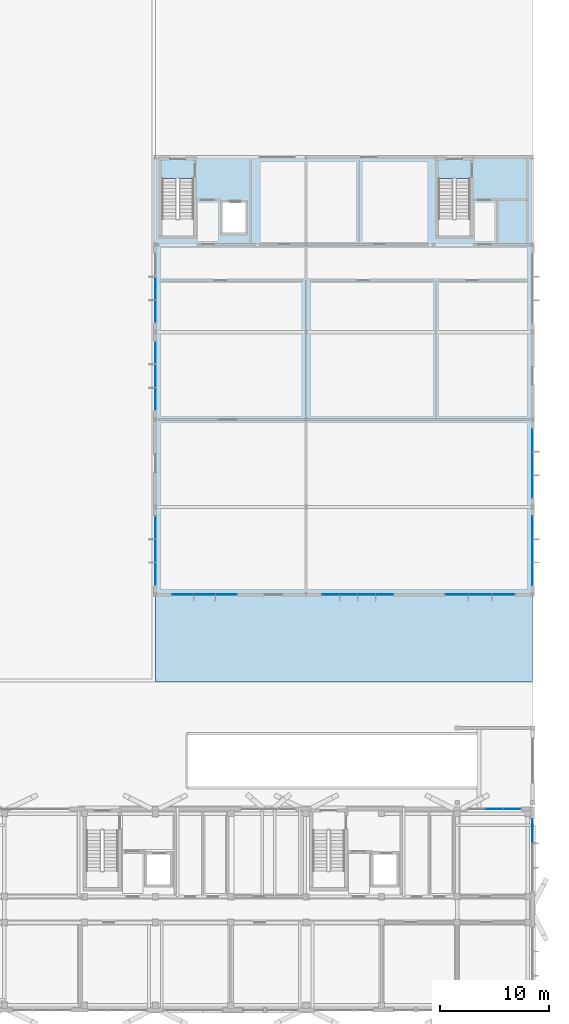
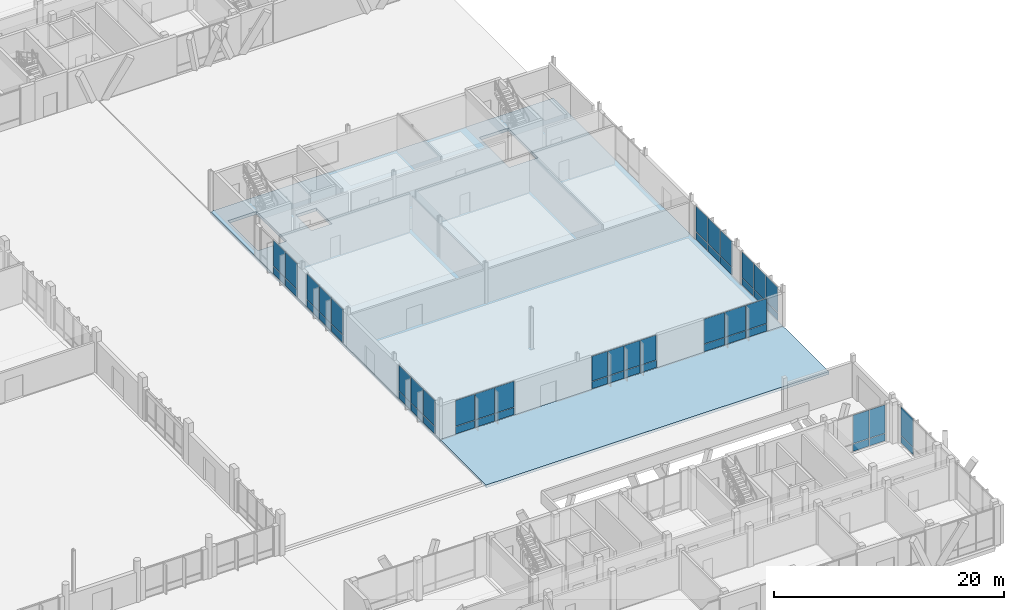
# One storey, part 187 of 233: 54 plates, 2 slabs, 10 elements without a shape of their own.
"""IFC4 building model written with IfcOpenShell, lengths in metres."""

from ifc_helpers import new_model, si_unit, direction, frame, origin, origin_2d, place, context, subcontext, project, spatial, polyline, rectangle, outline, extrude, material, layer, layer_set, type_object, element, aggregate, save


model = new_model("IFC4")

# Units and contexts
model_context = context("Model", 3, precision=1e-05, world=origin(), true_north=direction((0.0, 1.0)))
body_context = subcontext(model_context, "Body", "Model", "MODEL_VIEW")
ifc_project = project(units=[si_unit("LENGTHUNIT", "METRE"), si_unit("AREAUNIT", "SQUARE_METRE"), si_unit("VOLUMEUNIT", "CUBIC_METRE"), si_unit("PLANEANGLEUNIT", "RADIAN"), si_unit("MASSUNIT", "GRAM", prefix="KILO")], contexts=[model_context])

# Site, building, storey
site_placement = place(None, origin())
site = spatial("IfcSite", under=ifc_project, at=site_placement, CompositionType="ELEMENT")
building_placement = place(site_placement, origin())
building = spatial("IfcBuilding", under=site, at=building_placement, Name="Zavelmont Quarter", CompositionType="ELEMENT")
storey_placement = place(building_placement, origin())
storey = spatial("IfcBuildingStorey", under=building, at=storey_placement, Name="L00", CompositionType="ELEMENT", Elevation=0.0)

# Curtain wall, plate
ifc_material_1 = material(Name="Thermally broken aluminium and double low-E safety glazing", Category="aluminium")
curtain_wall_type_1 = type_object("IfcCurtainWallType", Name="CW-495X395", PredefinedType="NOTDEFINED", material=ifc_material_1)
curtain_wall_1_placement = place(storey_placement, origin())
curtain_wall_1 = element("IfcCurtainWall", 1, at=curtain_wall_1_placement, inside=storey, type_object=curtain_wall_type_1, Name="L00 unitised curtain wall CW-495X395", PredefinedType="NOTDEFINED")
ifc_material_2 = material(Name="Insulated anodised-aluminium spandrel panel", Category="aluminium")
ifc_layer_1 = layer(ifc_material_2, 0.0400390625)
ifc_layer_set_1 = layer_set([ifc_layer_1], Name="Insulated anodised-aluminium spandrel panel")
plate_type_1 = type_object("IfcPlateType", Name="CWP-SPD-1560X760", PredefinedType="CURTAIN_PANEL", material=ifc_layer_set_1)
plate_1_placement = place(storey_placement, frame((166.159912109375, 18.39990234375, 0.06005859375), z_axis=(0.0, 0.0, 1.0), x_axis=(1.0, 0.0, 0.0)))
plate_1 = element("IfcPlate", 2, at=plate_1_placement, type_object=plate_type_1, Name="CW-495X395 panel 3.1", PredefinedType="CURTAIN_PANEL", context=body_context, shape_type="SweptSolid", body=[
    extrude(rectangle(XDim=1.56005859375, YDim=0.0400390625, at=origin_2d()), origin(), (0.0, 0.0, 1.0), 0.760009765625),
])

# Curtain wall, plates
curtain_wall_type_2 = type_object("IfcCurtainWallType", Name="CW-660X357", PredefinedType="NOTDEFINED", material=ifc_material_1)
curtain_wall_2_placement = place(storey_placement, origin())
curtain_wall_2 = element("IfcCurtainWall", 3, at=curtain_wall_2_placement, inside=storey, type_object=curtain_wall_type_2, Name="L00 unitised curtain wall CW-660X357", PredefinedType="NOTDEFINED")
plate_2_placement = place(storey_placement, frame((149.5400390625, 38.0, 0.06005859375), z_axis=(0.0, 0.0, 1.0), x_axis=(1.0, 0.0, 0.0)))
plate_2 = element("IfcPlate", 4, at=plate_2_placement, type_object=plate_type_1, Name="CW-660X357 panel 1.1", PredefinedType="CURTAIN_PANEL", context=body_context, shape_type="SweptSolid", body=[
    extrude(rectangle(XDim=1.56005859375, YDim=0.0400390625, at=origin_2d()), origin(), (0.0, 0.0, 1.0), 0.760009765625),
])
plate_3_placement = place(storey_placement, frame((154.4599609375, 38.0, 0.06005859375), z_axis=(0.0, 0.0, 1.0), x_axis=(1.0, 0.0, 0.0)))
plate_3 = element("IfcPlate", 5, at=plate_3_placement, type_object=plate_type_1, Name="CW-660X357 panel 4.1", PredefinedType="CURTAIN_PANEL", context=body_context, shape_type="SweptSolid", body=[
    extrude(rectangle(XDim=1.56005859375, YDim=0.0400390625, at=origin_2d()), origin(), (0.0, 0.0, 1.0), 0.760009765625),
])

# Plate
ifc_layer_2 = layer(ifc_material_2, 0.0400390625)
ifc_layer_set_2 = layer_set([ifc_layer_2], Name="Insulated anodised-aluminium spandrel panel")
plate_type_2 = type_object("IfcPlateType", Name="CWP-SPD-1590X760", PredefinedType="CURTAIN_PANEL", material=ifc_layer_set_2)
plate_4_placement = place(storey_placement, frame((164.52490234375, 18.39990234375, 0.06005859375), z_axis=(0.0, 0.0, 1.0), x_axis=(1.0, 0.0, 0.0)))
plate_4 = element("IfcPlate", 6, at=plate_4_placement, type_object=plate_type_2, Name="CW-495X395 panel 2.1", PredefinedType="CURTAIN_PANEL", context=body_context, shape_type="SweptSolid", body=[
    extrude(rectangle(XDim=1.590087890625, YDim=0.0400390625, at=origin_2d()), origin(), (0.0, 0.0, 1.0), 0.760009765625),
])

plate_5_placement = place(storey_placement, frame((151.175048828125, 38.0, 0.06005859375), z_axis=(0.0, 0.0, 1.0), x_axis=(1.0, 0.0, 0.0)))
plate_5 = element("IfcPlate", 7, at=plate_5_placement, type_object=plate_type_2, Name="CW-660X357 panel 2.1", PredefinedType="CURTAIN_PANEL", context=body_context, shape_type="SweptSolid", body=[
    extrude(rectangle(XDim=1.590087890625, YDim=0.0400390625, at=origin_2d()), origin(), (0.0, 0.0, 1.0), 0.760009765625),
])

plate_6_placement = place(storey_placement, frame((152.824951171875, 38.0, 0.06005859375), z_axis=(0.0, 0.0, 1.0), x_axis=(1.0, 0.0, 0.0)))
plate_6 = element("IfcPlate", 8, at=plate_6_placement, type_object=plate_type_2, Name="CW-660X357 panel 3.1", PredefinedType="CURTAIN_PANEL", context=body_context, shape_type="SweptSolid", body=[
    extrude(rectangle(XDim=1.590087890625, YDim=0.0400390625, at=origin_2d()), origin(), (0.0, 0.0, 1.0), 0.760009765625),
])

# Curtain wall, plates
curtain_wall_type_3 = type_object("IfcCurtainWallType", Name="CW-600X367", PredefinedType="NOTDEFINED", material=ifc_material_1)
curtain_wall_3_placement = place(storey_placement, origin())
curtain_wall_3 = element("IfcCurtainWall", 9, at=curtain_wall_3_placement, inside=storey, type_object=curtain_wall_type_3, Name="L00 unitised curtain wall CW-600X367", PredefinedType="NOTDEFINED")
ifc_layer_3 = layer(ifc_material_2, 0.0400390625)
ifc_layer_set_3 = layer_set([ifc_layer_3], Name="Insulated anodised-aluminium spandrel panel")
plate_type_3 = type_object("IfcPlateType", Name="CWP-SPD-1910X760", PredefinedType="CURTAIN_PANEL", material=ifc_layer_set_3)
plate_7_placement = place(storey_placement, frame((136.014892578125, 38.0, 0.06005859375), z_axis=(0.0, 0.0, 1.0), x_axis=(1.0, 0.0, 0.0)))
plate_7 = element("IfcPlate", 10, at=plate_7_placement, type_object=plate_type_3, Name="CW-600X367 panel 1.1", PredefinedType="CURTAIN_PANEL", context=body_context, shape_type="SweptSolid", body=[
    extrude(rectangle(XDim=1.909912109375, YDim=0.0400390625, at=origin_2d()), origin(), (0.0, 0.0, 1.0), 0.760009765625),
])
plate_8_placement = place(storey_placement, frame((139.985107421875, 38.0, 0.06005859375), z_axis=(0.0, 0.0, 1.0), x_axis=(1.0, 0.0, 0.0)))
plate_8 = element("IfcPlate", 11, at=plate_8_placement, type_object=plate_type_3, Name="CW-600X367 panel 3.1", PredefinedType="CURTAIN_PANEL", context=body_context, shape_type="SweptSolid", body=[
    extrude(rectangle(XDim=1.909912109375, YDim=0.0400390625, at=origin_2d()), origin(), (0.0, 0.0, 1.0), 0.760009765625),
])
ifc_layer_4 = layer(ifc_material_2, 0.0400390625)
ifc_layer_set_4 = layer_set([ifc_layer_4], Name="Insulated anodised-aluminium spandrel panel")
plate_type_4 = type_object("IfcPlateType", Name="CWP-SPD-1940X760", PredefinedType="CURTAIN_PANEL", material=ifc_layer_set_4)
plate_9_placement = place(storey_placement, frame((138.0, 38.0, 0.06005859375), z_axis=(0.0, 0.0, 1.0), x_axis=(1.0, 0.0, 0.0)))
plate_9 = element("IfcPlate", 12, at=plate_9_placement, type_object=plate_type_4, Name="CW-600X367 panel 2.1", PredefinedType="CURTAIN_PANEL", context=body_context, shape_type="SweptSolid", body=[
    extrude(rectangle(XDim=1.93994140625, YDim=0.0400390625, at=origin_2d()), origin(), (0.0, 0.0, 1.0), 0.760009765625),
])

curtain_wall_type_4 = type_object("IfcCurtainWallType", Name="CW-640X366", PredefinedType="NOTDEFINED", material=ifc_material_1)
curtain_wall_4_placement = place(storey_placement, origin())
curtain_wall_4 = element("IfcCurtainWall", 13, at=curtain_wall_4_placement, inside=storey, type_object=curtain_wall_type_4, Name="L00 unitised curtain wall CW-640X366", PredefinedType="NOTDEFINED")
ifc_layer_5 = layer(ifc_material_2, 0.0400390625)
ifc_layer_set_5 = layer_set([ifc_layer_5], Name="Insulated anodised-aluminium spandrel panel")
plate_type_5 = type_object("IfcPlateType", Name="CWP-SPD-2045X760", PredefinedType="CURTAIN_PANEL", material=ifc_layer_set_5)
plate_10_placement = place(storey_placement, frame((133.5, 39.881591796875, 0.06005859375), z_axis=(0.0, 0.0, 1.0), x_axis=(0.0, 1.0, 0.0)))
plate_10 = element("IfcPlate", 14, at=plate_10_placement, type_object=plate_type_5, Name="CW-640X366 panel 1.1", PredefinedType="CURTAIN_PANEL", context=body_context, shape_type="SweptSolid", body=[
    extrude(rectangle(XDim=2.043212890625, YDim=0.0400390625, at=origin_2d()), origin(), (0.0, 0.0, 1.0), 0.760009765625),
])
plate_11_placement = place(storey_placement, frame((133.5, 44.118408203125, 0.06005859375), z_axis=(0.0, 0.0, 1.0), x_axis=(0.0, 1.0, 0.0)))
plate_11 = element("IfcPlate", 15, at=plate_11_placement, type_object=plate_type_5, Name="CW-640X366 panel 3.1", PredefinedType="CURTAIN_PANEL", context=body_context, shape_type="SweptSolid", body=[
    extrude(rectangle(XDim=2.043212890625, YDim=0.0400390625, at=origin_2d()), origin(), (0.0, 0.0, 1.0), 0.760009765625),
])

curtain_wall_5_placement = place(storey_placement, origin())
curtain_wall_5 = element("IfcCurtainWall", 16, at=curtain_wall_5_placement, inside=storey, type_object=curtain_wall_type_4, Name="L00 unitised curtain wall CW-640X366", PredefinedType="NOTDEFINED")
plate_12_placement = place(storey_placement, frame((133.5, 55.881591796875, 0.06005859375), z_axis=(0.0, 0.0, 1.0), x_axis=(0.0, 1.0, 0.0)))
plate_12 = element("IfcPlate", 17, at=plate_12_placement, type_object=plate_type_5, Name="CW-640X366 panel 1.1", PredefinedType="CURTAIN_PANEL", context=body_context, shape_type="SweptSolid", body=[
    extrude(rectangle(XDim=2.043212890625, YDim=0.0400390625, at=origin_2d()), origin(), (0.0, 0.0, 1.0), 0.760009765625),
])
plate_13_placement = place(storey_placement, frame((133.5, 60.118408203125, 0.06005859375), z_axis=(0.0, 0.0, 1.0), x_axis=(0.0, 1.0, 0.0)))
plate_13 = element("IfcPlate", 18, at=plate_13_placement, type_object=plate_type_5, Name="CW-640X366 panel 3.1", PredefinedType="CURTAIN_PANEL", context=body_context, shape_type="SweptSolid", body=[
    extrude(rectangle(XDim=2.043212890625, YDim=0.0400390625, at=origin_2d()), origin(), (0.0, 0.0, 1.0), 0.760009765625),
])

# Curtain wall, plate
curtain_wall_6_placement = place(storey_placement, origin())
curtain_wall_6 = element("IfcCurtainWall", 19, at=curtain_wall_6_placement, inside=storey, type_object=curtain_wall_type_4, Name="L00 unitised curtain wall CW-640X366", PredefinedType="NOTDEFINED")
plate_14_placement = place(storey_placement, frame((133.5, 63.881591796875, 0.06005859375), z_axis=(0.0, 0.0, 1.0), x_axis=(0.0, 1.0, 0.0)))
plate_14 = element("IfcPlate", 20, at=plate_14_placement, type_object=plate_type_5, Name="CW-640X366 panel 1.1", PredefinedType="CURTAIN_PANEL", context=body_context, shape_type="SweptSolid", body=[
    extrude(rectangle(XDim=2.043212890625, YDim=0.0400390625, at=origin_2d()), origin(), (0.0, 0.0, 1.0), 0.760009765625),
])

# Curtain wall, plates
curtain_wall_7_placement = place(storey_placement, origin())
curtain_wall_7 = element("IfcCurtainWall", 21, at=curtain_wall_7_placement, inside=storey, type_object=curtain_wall_type_4, Name="L00 unitised curtain wall CW-640X366", PredefinedType="NOTDEFINED")
plate_15_placement = place(storey_placement, frame((168.0, 39.881591796875, 0.06005859375), z_axis=(0.0, 0.0, 1.0), x_axis=(0.0, 1.0, 0.0)))
plate_15 = element("IfcPlate", 22, at=plate_15_placement, type_object=plate_type_5, Name="CW-640X366 panel 1.1", PredefinedType="CURTAIN_PANEL", context=body_context, shape_type="SweptSolid", body=[
    extrude(rectangle(XDim=2.043212890625, YDim=0.0400390625, at=origin_2d()), origin(), (0.0, 0.0, 1.0), 0.760009765625),
])
plate_16_placement = place(storey_placement, frame((168.0, 44.118408203125, 0.06005859375), z_axis=(0.0, 0.0, 1.0), x_axis=(0.0, 1.0, 0.0)))
plate_16 = element("IfcPlate", 23, at=plate_16_placement, type_object=plate_type_5, Name="CW-640X366 panel 3.1", PredefinedType="CURTAIN_PANEL", context=body_context, shape_type="SweptSolid", body=[
    extrude(rectangle(XDim=2.043212890625, YDim=0.0400390625, at=origin_2d()), origin(), (0.0, 0.0, 1.0), 0.760009765625),
])

curtain_wall_8_placement = place(storey_placement, origin())
curtain_wall_8 = element("IfcCurtainWall", 24, at=curtain_wall_8_placement, inside=storey, type_object=curtain_wall_type_4, Name="L00 unitised curtain wall CW-640X366", PredefinedType="NOTDEFINED")
plate_17_placement = place(storey_placement, frame((168.0, 47.881591796875, 0.06005859375), z_axis=(0.0, 0.0, 1.0), x_axis=(0.0, 1.0, 0.0)))
plate_17 = element("IfcPlate", 25, at=plate_17_placement, type_object=plate_type_5, Name="CW-640X366 panel 1.1", PredefinedType="CURTAIN_PANEL", context=body_context, shape_type="SweptSolid", body=[
    extrude(rectangle(XDim=2.043212890625, YDim=0.0400390625, at=origin_2d()), origin(), (0.0, 0.0, 1.0), 0.760009765625),
])
plate_18_placement = place(storey_placement, frame((168.0, 52.118408203125, 0.06005859375), z_axis=(0.0, 0.0, 1.0), x_axis=(0.0, 1.0, 0.0)))
plate_18 = element("IfcPlate", 26, at=plate_18_placement, type_object=plate_type_5, Name="CW-640X366 panel 3.1", PredefinedType="CURTAIN_PANEL", context=body_context, shape_type="SweptSolid", body=[
    extrude(rectangle(XDim=2.043212890625, YDim=0.0400390625, at=origin_2d()), origin(), (0.0, 0.0, 1.0), 0.760009765625),
])

curtain_wall_type_5 = type_object("IfcCurtainWallType", Name="CW-640X357", PredefinedType="NOTDEFINED", material=ifc_material_1)
curtain_wall_9_placement = place(storey_placement, origin())
curtain_wall_9 = element("IfcCurtainWall", 27, at=curtain_wall_9_placement, inside=storey, type_object=curtain_wall_type_5, Name="L00 unitised curtain wall CW-640X357", PredefinedType="NOTDEFINED")
plate_19_placement = place(storey_placement, frame((161.081787109375, 38.0, 0.06005859375), z_axis=(0.0, 0.0, 1.0), x_axis=(1.0, 0.0, 0.0)))
plate_19 = element("IfcPlate", 28, at=plate_19_placement, type_object=plate_type_5, Name="CW-640X357 panel 1.1", PredefinedType="CURTAIN_PANEL", context=body_context, shape_type="SweptSolid", body=[
    extrude(rectangle(XDim=2.043212890625, YDim=0.0400390625, at=origin_2d()), origin(), (0.0, 0.0, 1.0), 0.760009765625),
])
plate_20_placement = place(storey_placement, frame((165.318359375, 38.0, 0.06005859375), z_axis=(0.0, 0.0, 1.0), x_axis=(1.0, 0.0, 0.0)))
plate_20 = element("IfcPlate", 29, at=plate_20_placement, type_object=plate_type_5, Name="CW-640X357 panel 3.1", PredefinedType="CURTAIN_PANEL", context=body_context, shape_type="SweptSolid", body=[
    extrude(rectangle(XDim=2.043212890625, YDim=0.0400390625, at=origin_2d()), origin(), (0.0, 0.0, 1.0), 0.760009765625),
])

# Plate
ifc_layer_6 = layer(ifc_material_2, 0.0400390625)
ifc_layer_set_6 = layer_set([ifc_layer_6], Name="Insulated anodised-aluminium spandrel panel")
plate_type_6 = type_object("IfcPlateType", Name="CWP-SPD-2075X760", PredefinedType="CURTAIN_PANEL", material=ifc_layer_set_6)
plate_21_placement = place(storey_placement, frame((133.5, 42.0, 0.06005859375), z_axis=(0.0, 0.0, 1.0), x_axis=(0.0, 1.0, 0.0)))
plate_21 = element("IfcPlate", 30, at=plate_21_placement, type_object=plate_type_6, Name="CW-640X366 panel 2.1", PredefinedType="CURTAIN_PANEL", context=body_context, shape_type="SweptSolid", body=[
    extrude(rectangle(XDim=2.0732421875, YDim=0.0400390625, at=origin_2d()), origin(), (0.0, 0.0, 1.0), 0.760009765625),
])

plate_22_placement = place(storey_placement, frame((133.5, 58.0, 0.06005859375), z_axis=(0.0, 0.0, 1.0), x_axis=(0.0, 1.0, 0.0)))
plate_22 = element("IfcPlate", 31, at=plate_22_placement, type_object=plate_type_6, Name="CW-640X366 panel 2.1", PredefinedType="CURTAIN_PANEL", context=body_context, shape_type="SweptSolid", body=[
    extrude(rectangle(XDim=2.0732421875, YDim=0.0400390625, at=origin_2d()), origin(), (0.0, 0.0, 1.0), 0.760009765625),
])

plate_23_placement = place(storey_placement, frame((133.5, 66.0, 0.06005859375), z_axis=(0.0, 0.0, 1.0), x_axis=(0.0, 1.0, 0.0)))
plate_23 = element("IfcPlate", 32, at=plate_23_placement, type_object=plate_type_6, Name="CW-640X366 panel 2.1", PredefinedType="CURTAIN_PANEL", context=body_context, shape_type="SweptSolid", body=[
    extrude(rectangle(XDim=2.0732421875, YDim=0.0400390625, at=origin_2d()), origin(), (0.0, 0.0, 1.0), 0.760009765625),
])

plate_24_placement = place(storey_placement, frame((168.0, 42.0, 0.06005859375), z_axis=(0.0, 0.0, 1.0), x_axis=(0.0, 1.0, 0.0)))
plate_24 = element("IfcPlate", 33, at=plate_24_placement, type_object=plate_type_6, Name="CW-640X366 panel 2.1", PredefinedType="CURTAIN_PANEL", context=body_context, shape_type="SweptSolid", body=[
    extrude(rectangle(XDim=2.0732421875, YDim=0.0400390625, at=origin_2d()), origin(), (0.0, 0.0, 1.0), 0.760009765625),
])

plate_25_placement = place(storey_placement, frame((168.0, 50.0, 0.06005859375), z_axis=(0.0, 0.0, 1.0), x_axis=(0.0, 1.0, 0.0)))
plate_25 = element("IfcPlate", 34, at=plate_25_placement, type_object=plate_type_6, Name="CW-640X366 panel 2.1", PredefinedType="CURTAIN_PANEL", context=body_context, shape_type="SweptSolid", body=[
    extrude(rectangle(XDim=2.0732421875, YDim=0.0400390625, at=origin_2d()), origin(), (0.0, 0.0, 1.0), 0.760009765625),
])

plate_26_placement = place(storey_placement, frame((163.199951171875, 38.0, 0.06005859375), z_axis=(0.0, 0.0, 1.0), x_axis=(1.0, 0.0, 0.0)))
plate_26 = element("IfcPlate", 35, at=plate_26_placement, type_object=plate_type_6, Name="CW-640X357 panel 2.1", PredefinedType="CURTAIN_PANEL", context=body_context, shape_type="SweptSolid", body=[
    extrude(rectangle(XDim=2.0732421875, YDim=0.0400390625, at=origin_2d()), origin(), (0.0, 0.0, 1.0), 0.760009765625),
])

# Curtain wall, plate
curtain_wall_type_6 = type_object("IfcCurtainWallType", Name="CW-670X395", PredefinedType="NOTDEFINED", material=ifc_material_1)
curtain_wall_10_placement = place(storey_placement, origin())
curtain_wall_10 = element("IfcCurtainWall", 36, at=curtain_wall_10_placement, inside=storey, type_object=curtain_wall_type_6, Name="L00 unitised curtain wall CW-670X395", PredefinedType="NOTDEFINED")
ifc_layer_7 = layer(ifc_material_2, 0.0400390625)
ifc_layer_set_7 = layer_set([ifc_layer_7], Name="Insulated anodised-aluminium spandrel panel")
plate_type_7 = type_object("IfcPlateType", Name="CWP-SPD-2145X760", PredefinedType="CURTAIN_PANEL", material=ifc_layer_set_7)
plate_27_placement = place(storey_placement, frame((168.0, 16.368408203125, 0.06005859375), z_axis=(0.0, 0.0, 1.0), x_axis=(0.0, 1.0, 0.0)))
plate_27 = element("IfcPlate", 37, at=plate_27_placement, type_object=plate_type_7, Name="CW-670X395 panel 3.1", PredefinedType="CURTAIN_PANEL", context=body_context, shape_type="SweptSolid", body=[
    extrude(rectangle(XDim=2.143310546875, YDim=0.0400390625, at=origin_2d()), origin(), (0.0, 0.0, 1.0), 0.760009765625),
])

# Plate
ifc_material_3 = material(Name="Double low-E insulated vision glass", Category="glass")
ifc_layer_8 = layer(ifc_material_3, 0.028076171875)
ifc_layer_set_8 = layer_set([ifc_layer_8], Name="Double low-E insulated vision glass")
plate_type_8 = type_object("IfcPlateType", Name="CWP-VIS-1560X2630", PredefinedType="CURTAIN_PANEL", material=ifc_layer_set_8)
plate_28_placement = place(storey_placement, frame((149.5400390625, 38.0, 0.880126953125), z_axis=(0.0, 0.0, 1.0), x_axis=(1.0, 0.0, 0.0)))
plate_28 = element("IfcPlate", 38, at=plate_28_placement, type_object=plate_type_8, Name="CW-660X357 panel 1.2", PredefinedType="CURTAIN_PANEL", context=body_context, shape_type="SweptSolid", body=[
    extrude(rectangle(XDim=1.56005859375, YDim=0.028076171875, at=origin_2d()), origin(), (0.0, 0.0, 1.0), 2.6298828125),
])

plate_29_placement = place(storey_placement, frame((154.4599609375, 38.0, 0.880126953125), z_axis=(0.0, 0.0, 1.0), x_axis=(1.0, 0.0, 0.0)))
plate_29 = element("IfcPlate", 39, at=plate_29_placement, type_object=plate_type_8, Name="CW-660X357 panel 4.2", PredefinedType="CURTAIN_PANEL", context=body_context, shape_type="SweptSolid", body=[
    extrude(rectangle(XDim=1.56005859375, YDim=0.028076171875, at=origin_2d()), origin(), (0.0, 0.0, 1.0), 2.6298828125),
])

ifc_layer_9 = layer(ifc_material_3, 0.028076171875)
ifc_layer_set_9 = layer_set([ifc_layer_9], Name="Double low-E insulated vision glass")
plate_type_9 = type_object("IfcPlateType", Name="CWP-VIS-1560X3010", PredefinedType="CURTAIN_PANEL", material=ifc_layer_set_9)
plate_30_placement = place(storey_placement, frame((166.159912109375, 18.39990234375, 0.8798828125), z_axis=(0.0, 0.0, 1.0), x_axis=(1.0, 0.0, 0.0)))
plate_30 = element("IfcPlate", 40, at=plate_30_placement, type_object=plate_type_9, Name="CW-495X395 panel 3.2", PredefinedType="CURTAIN_PANEL", context=body_context, shape_type="SweptSolid", body=[
    extrude(rectangle(XDim=1.56005859375, YDim=0.028076171875, at=origin_2d()), origin(), (0.0, 0.0, 1.0), 3.010009765625),
])

ifc_layer_10 = layer(ifc_material_3, 0.028076171875)
ifc_layer_set_10 = layer_set([ifc_layer_10], Name="Double low-E insulated vision glass")
plate_type_10 = type_object("IfcPlateType", Name="CWP-VIS-1590X2630", PredefinedType="CURTAIN_PANEL", material=ifc_layer_set_10)
plate_31_placement = place(storey_placement, frame((151.175048828125, 38.0, 0.880126953125), z_axis=(0.0, 0.0, 1.0), x_axis=(1.0, 0.0, 0.0)))
plate_31 = element("IfcPlate", 41, at=plate_31_placement, type_object=plate_type_10, Name="CW-660X357 panel 2.2", PredefinedType="CURTAIN_PANEL", context=body_context, shape_type="SweptSolid", body=[
    extrude(rectangle(XDim=1.590087890625, YDim=0.028076171875, at=origin_2d()), origin(), (0.0, 0.0, 1.0), 2.6298828125),
])

plate_32_placement = place(storey_placement, frame((152.824951171875, 38.0, 0.880126953125), z_axis=(0.0, 0.0, 1.0), x_axis=(1.0, 0.0, 0.0)))
plate_32 = element("IfcPlate", 42, at=plate_32_placement, type_object=plate_type_10, Name="CW-660X357 panel 3.2", PredefinedType="CURTAIN_PANEL", context=body_context, shape_type="SweptSolid", body=[
    extrude(rectangle(XDim=1.590087890625, YDim=0.028076171875, at=origin_2d()), origin(), (0.0, 0.0, 1.0), 2.6298828125),
])

aggregate(curtain_wall_2, [plate_2, plate_28, plate_5, plate_31, plate_6, plate_32, plate_3, plate_29])

ifc_layer_11 = layer(ifc_material_3, 0.028076171875)
ifc_layer_set_11 = layer_set([ifc_layer_11], Name="Double low-E insulated vision glass")
plate_type_11 = type_object("IfcPlateType", Name="CWP-VIS-1590X3010", PredefinedType="CURTAIN_PANEL", material=ifc_layer_set_11)
plate_33_placement = place(storey_placement, frame((164.52490234375, 18.39990234375, 0.8798828125), z_axis=(0.0, 0.0, 1.0), x_axis=(1.0, 0.0, 0.0)))
plate_33 = element("IfcPlate", 43, at=plate_33_placement, type_object=plate_type_11, Name="CW-495X395 panel 2.2", PredefinedType="CURTAIN_PANEL", context=body_context, shape_type="SweptSolid", body=[
    extrude(rectangle(XDim=1.590087890625, YDim=0.028076171875, at=origin_2d()), origin(), (0.0, 0.0, 1.0), 3.010009765625),
])

aggregate(curtain_wall_1, [plate_4, plate_33, plate_1, plate_30])

ifc_layer_12 = layer(ifc_material_3, 0.028076171875)
ifc_layer_set_12 = layer_set([ifc_layer_12], Name="Double low-E insulated vision glass")
plate_type_12 = type_object("IfcPlateType", Name="CWP-VIS-1910X2730", PredefinedType="CURTAIN_PANEL", material=ifc_layer_set_12)
plate_34_placement = place(storey_placement, frame((136.014892578125, 38.0, 0.880126953125), z_axis=(0.0, 0.0, 1.0), x_axis=(1.0, 0.0, 0.0)))
plate_34 = element("IfcPlate", 44, at=plate_34_placement, type_object=plate_type_12, Name="CW-600X367 panel 1.2", PredefinedType="CURTAIN_PANEL", context=body_context, shape_type="SweptSolid", body=[
    extrude(rectangle(XDim=1.909912109375, YDim=0.028076171875, at=origin_2d()), origin(), (0.0, 0.0, 1.0), 2.72998046875),
])

plate_35_placement = place(storey_placement, frame((139.985107421875, 38.0, 0.880126953125), z_axis=(0.0, 0.0, 1.0), x_axis=(1.0, 0.0, 0.0)))
plate_35 = element("IfcPlate", 45, at=plate_35_placement, type_object=plate_type_12, Name="CW-600X367 panel 3.2", PredefinedType="CURTAIN_PANEL", context=body_context, shape_type="SweptSolid", body=[
    extrude(rectangle(XDim=1.909912109375, YDim=0.028076171875, at=origin_2d()), origin(), (0.0, 0.0, 1.0), 2.72998046875),
])

ifc_layer_13 = layer(ifc_material_3, 0.028076171875)
ifc_layer_set_13 = layer_set([ifc_layer_13], Name="Double low-E insulated vision glass")
plate_type_13 = type_object("IfcPlateType", Name="CWP-VIS-1940X2730", PredefinedType="CURTAIN_PANEL", material=ifc_layer_set_13)
plate_36_placement = place(storey_placement, frame((138.0, 38.0, 0.880126953125), z_axis=(0.0, 0.0, 1.0), x_axis=(1.0, 0.0, 0.0)))
plate_36 = element("IfcPlate", 46, at=plate_36_placement, type_object=plate_type_13, Name="CW-600X367 panel 2.2", PredefinedType="CURTAIN_PANEL", context=body_context, shape_type="SweptSolid", body=[
    extrude(rectangle(XDim=1.93994140625, YDim=0.028076171875, at=origin_2d()), origin(), (0.0, 0.0, 1.0), 2.72998046875),
])

aggregate(curtain_wall_3, [plate_7, plate_34, plate_9, plate_36, plate_8, plate_35])

ifc_layer_14 = layer(ifc_material_3, 0.028076171875)
ifc_layer_set_14 = layer_set([ifc_layer_14], Name="Double low-E insulated vision glass")
plate_type_14 = type_object("IfcPlateType", Name="CWP-VIS-2045X2630", PredefinedType="CURTAIN_PANEL", material=ifc_layer_set_14)
plate_37_placement = place(storey_placement, frame((161.081787109375, 38.0, 0.880126953125), z_axis=(0.0, 0.0, 1.0), x_axis=(1.0, 0.0, 0.0)))
plate_37 = element("IfcPlate", 47, at=plate_37_placement, type_object=plate_type_14, Name="CW-640X357 panel 1.2", PredefinedType="CURTAIN_PANEL", context=body_context, shape_type="SweptSolid", body=[
    extrude(rectangle(XDim=2.043212890625, YDim=0.028076171875, at=origin_2d()), origin(), (0.0, 0.0, 1.0), 2.6298828125),
])

plate_38_placement = place(storey_placement, frame((165.318359375, 38.0, 0.880126953125), z_axis=(0.0, 0.0, 1.0), x_axis=(1.0, 0.0, 0.0)))
plate_38 = element("IfcPlate", 48, at=plate_38_placement, type_object=plate_type_14, Name="CW-640X357 panel 3.2", PredefinedType="CURTAIN_PANEL", context=body_context, shape_type="SweptSolid", body=[
    extrude(rectangle(XDim=2.043212890625, YDim=0.028076171875, at=origin_2d()), origin(), (0.0, 0.0, 1.0), 2.6298828125),
])

ifc_layer_15 = layer(ifc_material_3, 0.028076171875)
ifc_layer_set_15 = layer_set([ifc_layer_15], Name="Double low-E insulated vision glass")
plate_type_15 = type_object("IfcPlateType", Name="CWP-VIS-2045X2720", PredefinedType="CURTAIN_PANEL", material=ifc_layer_set_15)
plate_39_placement = place(storey_placement, frame((133.5, 39.881591796875, 0.8798828125), z_axis=(0.0, 0.0, 1.0), x_axis=(0.0, 1.0, 0.0)))
plate_39 = element("IfcPlate", 49, at=plate_39_placement, type_object=plate_type_15, Name="CW-640X366 panel 1.2", PredefinedType="CURTAIN_PANEL", context=body_context, shape_type="SweptSolid", body=[
    extrude(rectangle(XDim=2.043212890625, YDim=0.028076171875, at=origin_2d()), origin(), (0.0, 0.0, 1.0), 2.719970703125),
])

plate_40_placement = place(storey_placement, frame((133.5, 44.118408203125, 0.8798828125), z_axis=(0.0, 0.0, 1.0), x_axis=(0.0, 1.0, 0.0)))
plate_40 = element("IfcPlate", 50, at=plate_40_placement, type_object=plate_type_15, Name="CW-640X366 panel 3.2", PredefinedType="CURTAIN_PANEL", context=body_context, shape_type="SweptSolid", body=[
    extrude(rectangle(XDim=2.043212890625, YDim=0.028076171875, at=origin_2d()), origin(), (0.0, 0.0, 1.0), 2.719970703125),
])

plate_41_placement = place(storey_placement, frame((133.5, 55.881591796875, 0.8798828125), z_axis=(0.0, 0.0, 1.0), x_axis=(0.0, 1.0, 0.0)))
plate_41 = element("IfcPlate", 51, at=plate_41_placement, type_object=plate_type_15, Name="CW-640X366 panel 1.2", PredefinedType="CURTAIN_PANEL", context=body_context, shape_type="SweptSolid", body=[
    extrude(rectangle(XDim=2.043212890625, YDim=0.028076171875, at=origin_2d()), origin(), (0.0, 0.0, 1.0), 2.719970703125),
])

plate_42_placement = place(storey_placement, frame((133.5, 60.118408203125, 0.8798828125), z_axis=(0.0, 0.0, 1.0), x_axis=(0.0, 1.0, 0.0)))
plate_42 = element("IfcPlate", 52, at=plate_42_placement, type_object=plate_type_15, Name="CW-640X366 panel 3.2", PredefinedType="CURTAIN_PANEL", context=body_context, shape_type="SweptSolid", body=[
    extrude(rectangle(XDim=2.043212890625, YDim=0.028076171875, at=origin_2d()), origin(), (0.0, 0.0, 1.0), 2.719970703125),
])

plate_43_placement = place(storey_placement, frame((133.5, 63.881591796875, 0.8798828125), z_axis=(0.0, 0.0, 1.0), x_axis=(0.0, 1.0, 0.0)))
plate_43 = element("IfcPlate", 53, at=plate_43_placement, type_object=plate_type_15, Name="CW-640X366 panel 1.2", PredefinedType="CURTAIN_PANEL", context=body_context, shape_type="SweptSolid", body=[
    extrude(rectangle(XDim=2.043212890625, YDim=0.028076171875, at=origin_2d()), origin(), (0.0, 0.0, 1.0), 2.719970703125),
])

plate_44_placement = place(storey_placement, frame((168.0, 39.881591796875, 0.8798828125), z_axis=(0.0, 0.0, 1.0), x_axis=(0.0, 1.0, 0.0)))
plate_44 = element("IfcPlate", 54, at=plate_44_placement, type_object=plate_type_15, Name="CW-640X366 panel 1.2", PredefinedType="CURTAIN_PANEL", context=body_context, shape_type="SweptSolid", body=[
    extrude(rectangle(XDim=2.043212890625, YDim=0.028076171875, at=origin_2d()), origin(), (0.0, 0.0, 1.0), 2.719970703125),
])

plate_45_placement = place(storey_placement, frame((168.0, 44.118408203125, 0.8798828125), z_axis=(0.0, 0.0, 1.0), x_axis=(0.0, 1.0, 0.0)))
plate_45 = element("IfcPlate", 55, at=plate_45_placement, type_object=plate_type_15, Name="CW-640X366 panel 3.2", PredefinedType="CURTAIN_PANEL", context=body_context, shape_type="SweptSolid", body=[
    extrude(rectangle(XDim=2.043212890625, YDim=0.028076171875, at=origin_2d()), origin(), (0.0, 0.0, 1.0), 2.719970703125),
])

plate_46_placement = place(storey_placement, frame((168.0, 47.881591796875, 0.8798828125), z_axis=(0.0, 0.0, 1.0), x_axis=(0.0, 1.0, 0.0)))
plate_46 = element("IfcPlate", 56, at=plate_46_placement, type_object=plate_type_15, Name="CW-640X366 panel 1.2", PredefinedType="CURTAIN_PANEL", context=body_context, shape_type="SweptSolid", body=[
    extrude(rectangle(XDim=2.043212890625, YDim=0.028076171875, at=origin_2d()), origin(), (0.0, 0.0, 1.0), 2.719970703125),
])

plate_47_placement = place(storey_placement, frame((168.0, 52.118408203125, 0.8798828125), z_axis=(0.0, 0.0, 1.0), x_axis=(0.0, 1.0, 0.0)))
plate_47 = element("IfcPlate", 57, at=plate_47_placement, type_object=plate_type_15, Name="CW-640X366 panel 3.2", PredefinedType="CURTAIN_PANEL", context=body_context, shape_type="SweptSolid", body=[
    extrude(rectangle(XDim=2.043212890625, YDim=0.028076171875, at=origin_2d()), origin(), (0.0, 0.0, 1.0), 2.719970703125),
])

ifc_layer_16 = layer(ifc_material_3, 0.028076171875)
ifc_layer_set_16 = layer_set([ifc_layer_16], Name="Double low-E insulated vision glass")
plate_type_16 = type_object("IfcPlateType", Name="CWP-VIS-2075X2630", PredefinedType="CURTAIN_PANEL", material=ifc_layer_set_16)
plate_48_placement = place(storey_placement, frame((163.199951171875, 38.0, 0.880126953125), z_axis=(0.0, 0.0, 1.0), x_axis=(1.0, 0.0, 0.0)))
plate_48 = element("IfcPlate", 58, at=plate_48_placement, type_object=plate_type_16, Name="CW-640X357 panel 2.2", PredefinedType="CURTAIN_PANEL", context=body_context, shape_type="SweptSolid", body=[
    extrude(rectangle(XDim=2.0732421875, YDim=0.028076171875, at=origin_2d()), origin(), (0.0, 0.0, 1.0), 2.6298828125),
])

aggregate(curtain_wall_9, [plate_19, plate_37, plate_26, plate_48, plate_20, plate_38])

ifc_layer_17 = layer(ifc_material_3, 0.028076171875)
ifc_layer_set_17 = layer_set([ifc_layer_17], Name="Double low-E insulated vision glass")
plate_type_17 = type_object("IfcPlateType", Name="CWP-VIS-2075X2720", PredefinedType="CURTAIN_PANEL", material=ifc_layer_set_17)
plate_49_placement = place(storey_placement, frame((133.5, 42.0, 0.8798828125), z_axis=(0.0, 0.0, 1.0), x_axis=(0.0, 1.0, 0.0)))
plate_49 = element("IfcPlate", 59, at=plate_49_placement, type_object=plate_type_17, Name="CW-640X366 panel 2.2", PredefinedType="CURTAIN_PANEL", context=body_context, shape_type="SweptSolid", body=[
    extrude(rectangle(XDim=2.0732421875, YDim=0.028076171875, at=origin_2d()), origin(), (0.0, 0.0, 1.0), 2.719970703125),
])

aggregate(curtain_wall_4, [plate_10, plate_39, plate_21, plate_49, plate_11, plate_40])

plate_50_placement = place(storey_placement, frame((133.5, 58.0, 0.8798828125), z_axis=(0.0, 0.0, 1.0), x_axis=(0.0, 1.0, 0.0)))
plate_50 = element("IfcPlate", 60, at=plate_50_placement, type_object=plate_type_17, Name="CW-640X366 panel 2.2", PredefinedType="CURTAIN_PANEL", context=body_context, shape_type="SweptSolid", body=[
    extrude(rectangle(XDim=2.0732421875, YDim=0.028076171875, at=origin_2d()), origin(), (0.0, 0.0, 1.0), 2.719970703125),
])

aggregate(curtain_wall_5, [plate_12, plate_41, plate_22, plate_50, plate_13, plate_42])

plate_51_placement = place(storey_placement, frame((133.5, 66.0, 0.8798828125), z_axis=(0.0, 0.0, 1.0), x_axis=(0.0, 1.0, 0.0)))
plate_51 = element("IfcPlate", 61, at=plate_51_placement, type_object=plate_type_17, Name="CW-640X366 panel 2.2", PredefinedType="CURTAIN_PANEL", context=body_context, shape_type="SweptSolid", body=[
    extrude(rectangle(XDim=2.0732421875, YDim=0.028076171875, at=origin_2d()), origin(), (0.0, 0.0, 1.0), 2.719970703125),
])

aggregate(curtain_wall_6, [plate_14, plate_43, plate_23, plate_51])

plate_52_placement = place(storey_placement, frame((168.0, 42.0, 0.8798828125), z_axis=(0.0, 0.0, 1.0), x_axis=(0.0, 1.0, 0.0)))
plate_52 = element("IfcPlate", 62, at=plate_52_placement, type_object=plate_type_17, Name="CW-640X366 panel 2.2", PredefinedType="CURTAIN_PANEL", context=body_context, shape_type="SweptSolid", body=[
    extrude(rectangle(XDim=2.0732421875, YDim=0.028076171875, at=origin_2d()), origin(), (0.0, 0.0, 1.0), 2.719970703125),
])

aggregate(curtain_wall_7, [plate_15, plate_44, plate_24, plate_52, plate_16, plate_45])

plate_53_placement = place(storey_placement, frame((168.0, 50.0, 0.8798828125), z_axis=(0.0, 0.0, 1.0), x_axis=(0.0, 1.0, 0.0)))
plate_53 = element("IfcPlate", 63, at=plate_53_placement, type_object=plate_type_17, Name="CW-640X366 panel 2.2", PredefinedType="CURTAIN_PANEL", context=body_context, shape_type="SweptSolid", body=[
    extrude(rectangle(XDim=2.0732421875, YDim=0.028076171875, at=origin_2d()), origin(), (0.0, 0.0, 1.0), 2.719970703125),
])

aggregate(curtain_wall_8, [plate_17, plate_46, plate_25, plate_53, plate_18, plate_47])

ifc_layer_18 = layer(ifc_material_3, 0.028076171875)
ifc_layer_set_18 = layer_set([ifc_layer_18], Name="Double low-E insulated vision glass")
plate_type_18 = type_object("IfcPlateType", Name="CWP-VIS-2145X3010", PredefinedType="CURTAIN_PANEL", material=ifc_layer_set_18)
plate_54_placement = place(storey_placement, frame((168.0, 16.368408203125, 0.8798828125), z_axis=(0.0, 0.0, 1.0), x_axis=(0.0, 1.0, 0.0)))
plate_54 = element("IfcPlate", 64, at=plate_54_placement, type_object=plate_type_18, Name="CW-670X395 panel 3.2", PredefinedType="CURTAIN_PANEL", context=body_context, shape_type="SweptSolid", body=[
    extrude(rectangle(XDim=2.143310546875, YDim=0.028076171875, at=origin_2d()), origin(), (0.0, 0.0, 1.0), 3.010009765625),
])

aggregate(curtain_wall_10, [plate_27, plate_54])

# Slabs
ifc_material_4 = material(Name="Concrete C40/50", Category="concrete")
ifc_layer_19 = layer(ifc_material_4, 0.320068359375)
ifc_layer_set_19 = layer_set([ifc_layer_19], Name="Concrete C40/50")
slab_type_1 = type_object("IfcSlabType", Name="SL-FL320", PredefinedType="FLOOR", material=ifc_layer_set_19)
slab_1_placement = place(storey_placement, frame((0.0, 0.0, -0.320068359375)))
element("IfcSlab", 65, at=slab_1_placement, inside=storey, type_object=slab_type_1, Name="L00 Nursery Pavilion ground slab SL-FL320", PredefinedType="FLOOR", context=body_context, shape_type="SweptSolid", body=[
    extrude(outline(polyline([(133.5, 38.0), (168.0, 38.0), (168.0, 78.0), (133.5, 78.0), (133.5, 38.0)]), holes=[polyline([(134.10009765625, 76.02490234375), (134.10009765625, 70.800048828125), (137.0, 70.800048828125), (137.0, 76.02490234375), (134.10009765625, 76.02490234375)]), polyline([(139.64990234375, 71.10009765625), (141.75, 71.10009765625), (141.75, 73.85009765625), (139.64990234375, 73.85009765625), (139.64990234375, 71.10009765625)]), polyline([(159.39990234375, 76.02490234375), (159.39990234375, 70.800048828125), (162.300048828125, 70.800048828125), (162.300048828125, 76.02490234375), (159.39990234375, 76.02490234375)])]), origin(), (0.0, 0.0, 1.0), 0.320068359375),
])
ifc_material_5 = material(Name="Concrete C35/45", Category="concrete")
ifc_layer_20 = layer(ifc_material_5, 0.2900390625)
ifc_layer_set_20 = layer_set([ifc_layer_20], Name="Concrete C35/45")
slab_type_2 = type_object("IfcSlabType", Name="SL-RF290", PredefinedType="ROOF", material=ifc_layer_set_20)
slab_2_placement = place(storey_placement, frame((0.0, 0.0, -0.2900390625)))
element("IfcSlab", 66, at=slab_2_placement, inside=storey, type_object=slab_type_2, Name="L00 East-South nursery garden plinth SL-RF290", PredefinedType="ROOF", context=body_context, shape_type="SweptSolid", body=[
    extrude(outline(polyline([(133.5, 30.0), (168.0, 30.0), (168.0, 38.0), (133.5, 38.0), (133.5, 30.0)])), origin(), (0.0, 0.0, 1.0), 0.2900390625),
])

save(model, "model.ifc")
